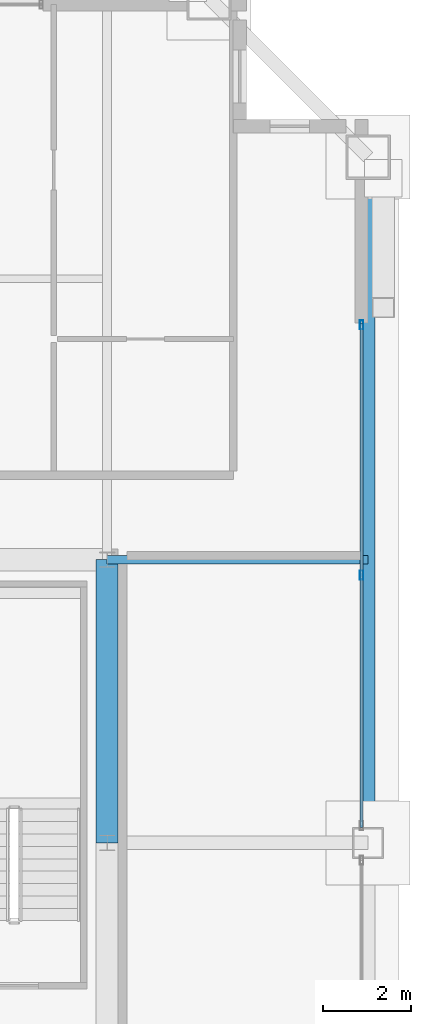
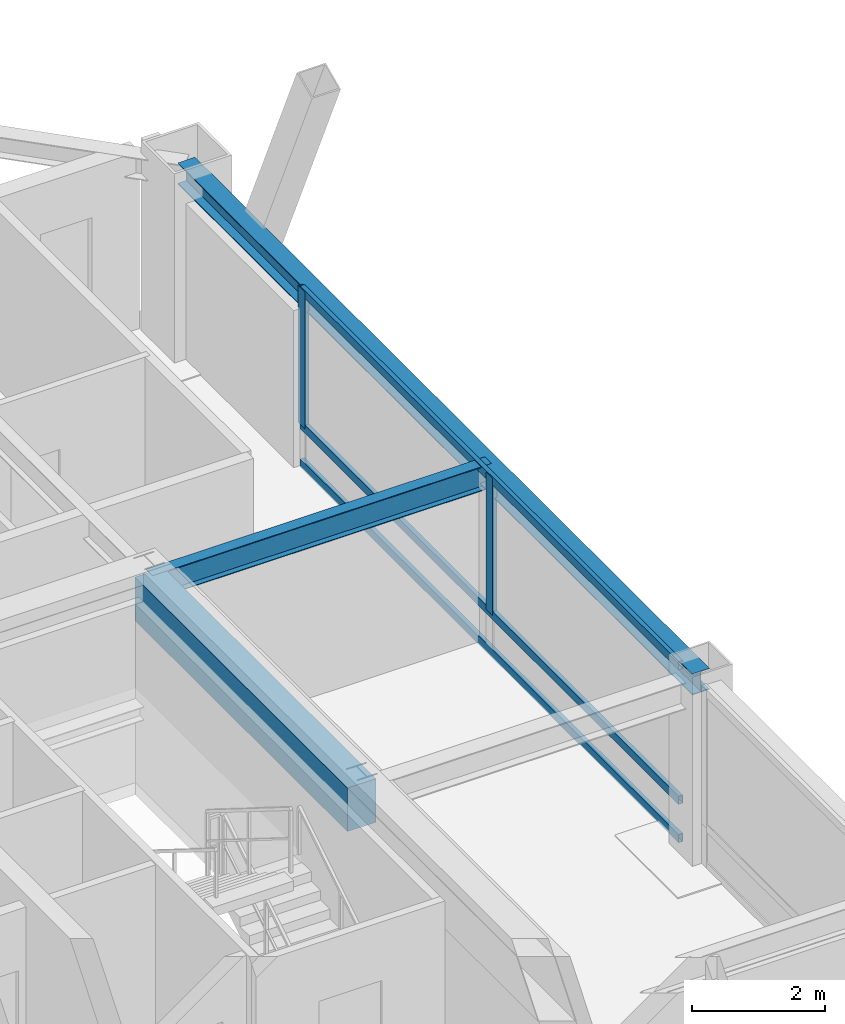
# One storey, part 15 of 35: 5 members, 3 beams, 1 element without a shape of its own.
"""IFC4 building model written with IfcOpenShell, lengths in metres."""

from ifc_helpers import new_model, si_unit, direction, frame, origin, origin_2d, place, context, subcontext, project, spatial, rectangle, hollow_rectangle, i_section, extrude, source, transform, mapped, material, layer, layer_set, material_profile, profile_set, type_object, element, aggregate, save


model = new_model("IFC4")

# Units and contexts
model_context = context("Model", 3, precision=1e-05, world=origin(), true_north=direction((0.0, 1.0)))
body_context = subcontext(model_context, "Body", "Model", "MODEL_VIEW")
ifc_project = project(units=[si_unit("LENGTHUNIT", "METRE"), si_unit("AREAUNIT", "SQUARE_METRE"), si_unit("VOLUMEUNIT", "CUBIC_METRE"), si_unit("PLANEANGLEUNIT", "RADIAN"), si_unit("MASSUNIT", "GRAM", prefix="KILO"), si_unit("THERMODYNAMICTEMPERATUREUNIT", "KELVIN"), si_unit("POWERUNIT", "WATT")], contexts=[model_context])

# Site, building, storey
site_placement = place(None, origin())
site = spatial("IfcSite", under=ifc_project, at=site_placement, CompositionType="ELEMENT")
building_placement = place(site_placement, origin())
building = spatial("IfcBuilding", under=site, at=building_placement, Name="Yuzanri Waterfront Tower", CompositionType="ELEMENT")
storey_placement = place(building_placement, frame((0.0, 0.0, 285.60009765625)))
storey = spatial("IfcBuildingStorey", under=building, at=storey_placement, Name="L76", CompositionType="ELEMENT", Elevation=285.60009765625)

# Beams
ifc_material_1 = material(Name="Concrete C50", Category="concrete")
ifc_material_profile_1 = material_profile(ifc_material_1, rectangle(XDim=0.5, YDim=0.800048828125, at=origin_2d()), Name="RC 500x800")
ifc_profile_set_1 = profile_set([ifc_material_profile_1], Name="Concrete C50")
beam_type_1 = type_object("IfcBeamType", Name="Core Coupling Lintel Concrete C50 500x800", PredefinedType="LINTEL", material=ifc_profile_set_1)
shared_shape_1 = source(origin(), body_context, "Body", "SweptSolid", [
    extrude(rectangle(XDim=0.5, YDim=0.800048828125, at=origin_2d()), origin(), (0.0, 0.0, 1.0), 6.39990234375),
])
beam_1_placement = place(storey_placement, frame((50.199951171875, 25.800048828125, 2.8798828125), z_axis=(0.0, 1.0, 0.0), x_axis=(-1.0, 0.0, 0.0)))
element("IfcBeam", 1, at=beam_1_placement, inside=storey, type_object=beam_type_1, Name="L76 Core Tie Beam CE2", PredefinedType="LINTEL", context=body_context, shape_type="MappedRepresentation", body=[
    mapped(shared_shape_1, transform((0.0, 0.0, 0.0), scale=1.0)),
])
ifc_material_2 = material(Name="Steel Q355B", Category="steel")
ifc_material_profile_2 = material_profile(ifc_material_2, i_section(OverallWidth=0.300048828125, OverallDepth=0.389892578125, WebThickness=0.010009765625, FlangeThickness=0.01611328125, at=origin_2d()), Name="HM 390x300x10x16")
ifc_profile_set_2 = profile_set([ifc_material_profile_2], Name="Steel Q355B")
beam_type_2 = type_object("IfcBeamType", Name="Perimeter Spandrel Q355B HM 390x300", PredefinedType="SPANDREL", material=ifc_profile_set_2)
shared_shape_2 = source(origin(), body_context, "Body", "SweptSolid", [
    extrude(i_section(OverallWidth=0.300048828125, OverallDepth=0.389892578125, WebThickness=0.010009765625, FlangeThickness=0.01611328125, at=origin_2d()), origin(), (0.0, 0.0, 1.0), 15.5),
])
beam_2_placement = place(storey_placement, frame((56.10009765625, 25.800048828125, 3.0849609375), z_axis=(0.0, 1.0, 0.0), x_axis=(-1.0, 0.0, 0.0)))
element("IfcBeam", 2, at=beam_2_placement, inside=storey, type_object=beam_type_2, Name="L76 Perimeter Spandrel E2-E3", PredefinedType="SPANDREL", context=body_context, shape_type="MappedRepresentation", body=[
    mapped(shared_shape_2, transform((0.0, 0.0, 0.0), scale=1.0)),
])
ifc_material_3 = material(Name="Steel Q355B", Category="steel")
ifc_material_profile_3 = material_profile(ifc_material_3, i_section(OverallWidth=0.199951171875, OverallDepth=0.449951171875, WebThickness=0.009033203125, FlangeThickness=0.013916015625, at=origin_2d()), Name="HN 450x200x9x14")
ifc_profile_set_3 = profile_set([ifc_material_profile_3], Name="Steel Q355B")
beam_type_3 = type_object("IfcBeamType", Name="Secondary Floor Beam Q355B HN 450x200", PredefinedType="BEAM", material=ifc_profile_set_3)
shared_shape_3 = source(origin(), body_context, "Body", "SweptSolid", [
    extrude(i_section(OverallWidth=0.199951171875, OverallDepth=0.449951171875, WebThickness=0.009033203125, FlangeThickness=0.013916015625, at=origin_2d()), origin(), (0.0, 0.0, 1.0), 5.900146484375),
])
beam_3_placement = place(storey_placement, frame((50.199951171875, 32.199951171875, 3.054931640625), z_axis=(1.0, 0.0, 0.0), x_axis=(0.0, 1.0, 0.0)))
element("IfcBeam", 3, at=beam_3_placement, inside=storey, type_object=beam_type_3, Name="L76 East-North Core Line Beam", PredefinedType="BEAM", context=body_context, shape_type="MappedRepresentation", body=[
    mapped(shared_shape_3, transform((0.0, 0.0, 0.0), scale=1.0)),
])

# Curtain wall, members
ifc_material_4 = material(Name="Anodized Architectural Bronze", Category="metal")
ifc_layer = layer(ifc_material_4, 0.159912109375)
ifc_layer_set = layer_set([ifc_layer], Name="Anodized Architectural Bronze")
curtain_wall_type = type_object("IfcCurtainWallType", Name="Anodized Bronze High-Rise Penthouse High-Wind Unitized Curtain Wall 6900", PredefinedType="NOTDEFINED", material=ifc_layer_set)
curtain_wall_placement = place(storey_placement, origin())
curtain_wall = element("IfcCurtainWall", 4, at=curtain_wall_placement, inside=storey, type_object=curtain_wall_type, Name="L76 Curtain Wall CW-L76-ER", PredefinedType="NOTDEFINED")
ifc_material_5 = material(Name="Anodized Architectural Bronze", Category="metal")
ifc_material_profile_4 = material_profile(ifc_material_5, hollow_rectangle(XDim=0.074951171875, YDim=0.199951171875, WallThickness=0.00390625, at=origin_2d()), Name="CWM 75x200")
ifc_profile_set_4 = profile_set([ifc_material_profile_4], Name="Anodized Architectural Bronze")
member_type_1 = type_object("IfcMemberType", Name="Anodized Bronze Primary Curtain-Wall Mullion 75x200", PredefinedType="MULLION", material=ifc_profile_set_4)
shared_shape_4 = source(origin(), body_context, "Body", "SweptSolid", [
    extrude(hollow_rectangle(XDim=0.074951171875, YDim=0.199951171875, WallThickness=0.00390625, at=origin_2d()), origin(), (0.0, 0.0, 1.0), 2.52392578125),
])
member_1_placement = place(storey_placement, frame((55.949951171875, 31.85009765625, 0.755859375), z_axis=(0.0, 0.0, 1.0), x_axis=(1.0, 0.0, 0.0)))
member_1 = element("IfcMember", 5, at=member_1_placement, type_object=member_type_1, Name="CW-L76-ER Upper Mullion 01", PredefinedType="MULLION", context=body_context, shape_type="MappedRepresentation", body=[
    mapped(shared_shape_4, transform((0.0, 0.0, 0.0), scale=1.0)),
])
member_2_placement = place(storey_placement, frame((55.949951171875, 37.510009765625, 0.755859375), z_axis=(0.0, 0.0, 1.0), x_axis=(1.0, 0.0, 0.0)))
member_2 = element("IfcMember", 6, at=member_2_placement, type_object=member_type_1, Name="CW-L76-ER Upper Mullion 02", PredefinedType="MULLION", context=body_context, shape_type="MappedRepresentation", body=[
    mapped(shared_shape_4, transform((0.0, 0.0, 0.0), scale=1.0)),
])
ifc_material_6 = material(Name="Anodized Architectural Bronze", Category="metal")
ifc_material_profile_5 = material_profile(ifc_material_6, hollow_rectangle(XDim=0.074951171875, YDim=0.14990234375, WallThickness=0.00390625, at=origin_2d()), Name="CWT 75x150")
ifc_profile_set_5 = profile_set([ifc_material_profile_5], Name="Anodized Architectural Bronze")
member_type_2 = type_object("IfcMemberType", Name="Anodized Bronze Primary Curtain-Wall Transom 75x150", PredefinedType="USERDEFINED", material=ifc_profile_set_5)
shared_shape_5 = source(origin(), body_context, "Body", "SweptSolid", [
    extrude(hollow_rectangle(XDim=0.074951171875, YDim=0.14990234375, WallThickness=0.00390625, at=origin_2d()), origin(), (0.0, 0.0, 1.0), 11.400146484375),
])
member_3_placement = place(storey_placement, frame((55.949951171875, 26.14990234375, 0.0498046875), z_axis=(0.0, 1.0, 0.0), x_axis=(-1.0, 0.0, 0.0)))
member_3 = element("IfcMember", 7, at=member_3_placement, type_object=member_type_2, Name="CW-L76-ER Transom 1", ObjectType="TRANSOM", PredefinedType="USERDEFINED", context=body_context, shape_type="MappedRepresentation", body=[
    mapped(shared_shape_5, transform((0.0, 0.0, 0.0), scale=1.0)),
])
member_4_placement = place(storey_placement, frame((55.949951171875, 26.14990234375, 0.75390625), z_axis=(0.0, 1.0, 0.0), x_axis=(-1.0, 0.0, 0.0)))
member_4 = element("IfcMember", 8, at=member_4_placement, type_object=member_type_2, Name="CW-L76-ER Transom 2", ObjectType="TRANSOM", PredefinedType="USERDEFINED", context=body_context, shape_type="MappedRepresentation", body=[
    mapped(shared_shape_5, transform((0.0, 0.0, 0.0), scale=1.0)),
])
member_5_placement = place(storey_placement, frame((55.949951171875, 26.14990234375, 3.22998046875), z_axis=(0.0, 1.0, 0.0), x_axis=(-1.0, 0.0, 0.0)))
member_5 = element("IfcMember", 9, at=member_5_placement, type_object=member_type_2, Name="CW-L76-ER Transom 3", ObjectType="TRANSOM", PredefinedType="USERDEFINED", context=body_context, shape_type="MappedRepresentation", body=[
    mapped(shared_shape_5, transform((0.0, 0.0, 0.0), scale=1.0)),
])
aggregate(curtain_wall, [member_1, member_2, member_3, member_4, member_5])

save(model, "model.ifc")
